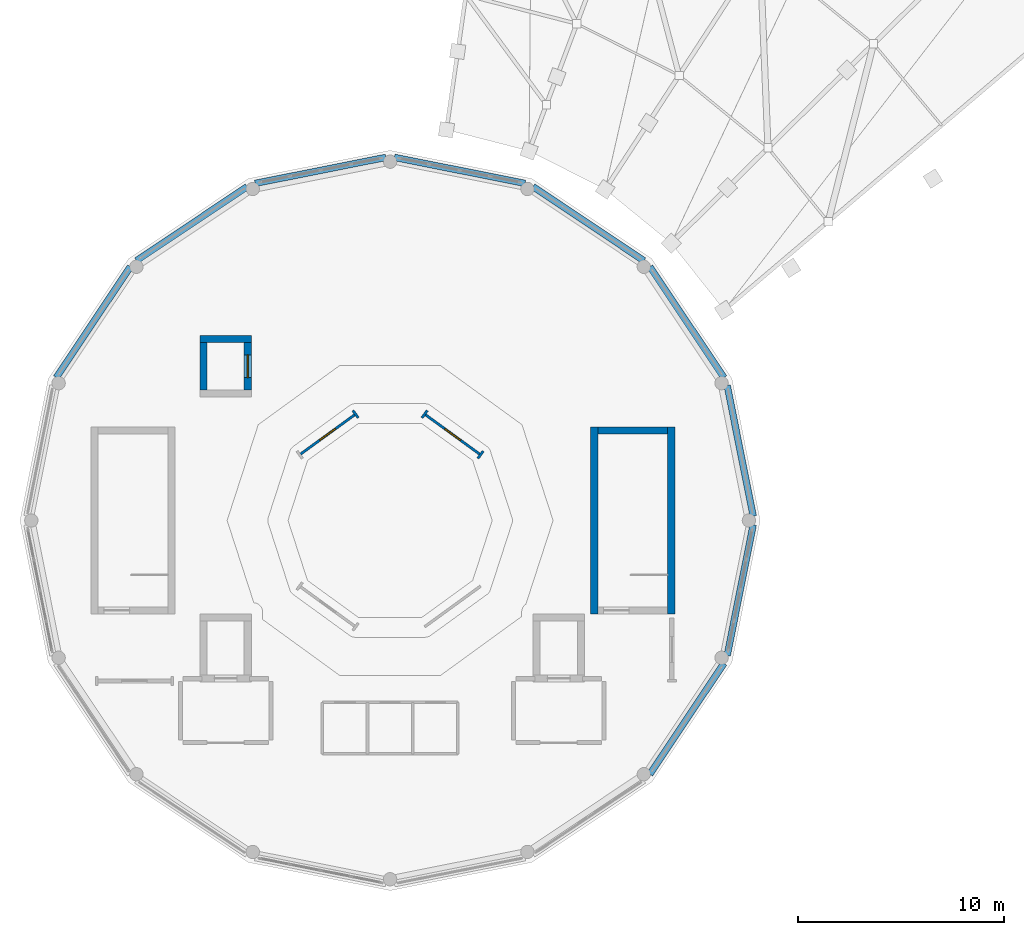
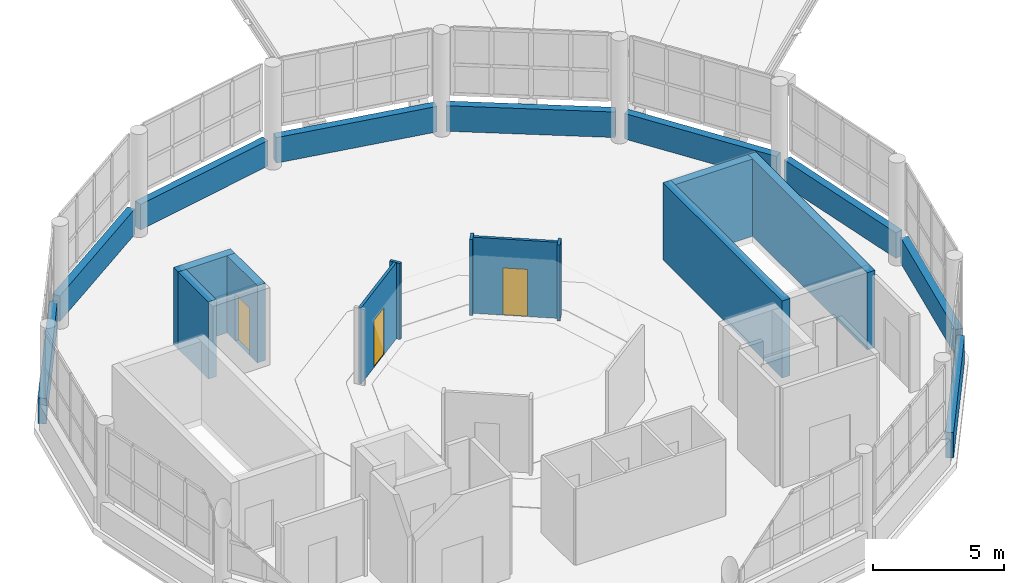
# One storey, part 11 of 12: 20 walls, 3 doors, 3 openings.
"""IFC4 building model written with IfcOpenShell, lengths in metres."""

from ifc_helpers import new_model, si_unit, direction, frame, frame_2d, origin, place, context, subcontext, project, spatial, rectangle, extrude, material, layer, layer_set, type_object, element, fill, save


model = new_model("IFC4")

# Units and contexts
model_context = context("Model", 3, precision=1e-05, world=origin(), true_north=direction((0.0, 1.0)))
body_context = subcontext(model_context, "Body", "Model", "MODEL_VIEW")
ifc_project = project(units=[si_unit("LENGTHUNIT", "METRE"), si_unit("AREAUNIT", "SQUARE_METRE"), si_unit("VOLUMEUNIT", "CUBIC_METRE"), si_unit("PLANEANGLEUNIT", "RADIAN"), si_unit("MASSUNIT", "GRAM", prefix="KILO")], contexts=[model_context])

# Site, building, storey
site_placement = place(None, origin())
site = spatial("IfcSite", under=ifc_project, at=site_placement, CompositionType="ELEMENT")
building_placement = place(site_placement, origin())
building = spatial("IfcBuilding", under=site, at=building_placement, Name="Soyqirgoq Riverine Aquarium", CompositionType="ELEMENT")
storey_placement = place(building_placement, frame((0.0, 0.0, 24.60009765625)))
storey = spatial("IfcBuildingStorey", under=building, at=storey_placement, Name="L06", CompositionType="ELEMENT", Elevation=24.60009765625)

# Walls
ifc_material_1 = material(Name="Concrete C40/50", Category="concrete")
ifc_layer_1 = layer(ifc_material_1, 0.35009765625)
ifc_layer_set_1 = layer_set([ifc_layer_1], Name="Concrete C40/50")
wall_type_1 = type_object("IfcWallType", Name="CoreShearWall_350_C40", PredefinedType="SHEAR", material=ifc_layer_set_1)
wall_1_placement = place(storey_placement, frame((69.675048828125, 52.449951171875, 0.0), z_axis=(0.0, 0.0, 1.0), x_axis=(0.0, 1.0, 0.0)))
element("IfcWall", 1, at=wall_1_placement, inside=storey, type_object=wall_type_1, Name="CORE-1 L06 Stair Core Shear Wall SIDE1", PredefinedType="SHEAR", context=body_context, shape_type="SweptSolid", body=[
    extrude(rectangle(XDim=9.10009765625, YDim=0.35009765625, at=frame_2d((4.550048828125, 0.0))), origin(), (0.0, 0.0, 1.0), 3.599853515625),
])
wall_2_placement = place(storey_placement, frame((69.5, 61.375, 0.0), z_axis=(0.0, 0.0, 1.0), x_axis=(-1.0, 0.0, 0.0)))
element("IfcWall", 2, at=wall_2_placement, inside=storey, type_object=wall_type_1, Name="CORE-1 L06 Stair Core Shear Wall BACK", PredefinedType="SHEAR", context=body_context, shape_type="SweptSolid", body=[
    extrude(rectangle(XDim=3.39990234375, YDim=0.35009765625, at=frame_2d((1.699951171875, 0.0))), origin(), (0.0, 0.0, 1.0), 3.599853515625),
])
wall_3_placement = place(storey_placement, frame((65.925048828125, 61.550048828125, 0.0), z_axis=(0.0, 0.0, 1.0), x_axis=(0.0, -1.0, 0.0)))
element("IfcWall", 3, at=wall_3_placement, inside=storey, type_object=wall_type_1, Name="CORE-1 L06 Stair Core Shear Wall SIDE2", PredefinedType="SHEAR", context=body_context, shape_type="SweptSolid", body=[
    extrude(rectangle(XDim=9.10009765625, YDim=0.35009765625, at=frame_2d((4.550048828125, 0.0))), origin(), (0.0, 0.0, 1.0), 3.599853515625),
])

# Wall, opening, door
wall_4_placement = place(storey_placement, frame((49.080078125, 63.344970703125, 0.0), z_axis=(0.0, 0.0, 1.0), x_axis=(0.0, 1.0, 0.0)))
wall_4 = element("IfcWall", 4, at=wall_4_placement, inside=storey, type_object=wall_type_1, Name="Lift PL-1 Shaft Wall L06 2", PredefinedType="SHEAR", context=body_context, shape_type="SweptSolid", body=[
    extrude(rectangle(XDim=2.31005859375, YDim=0.35009765625, at=frame_2d((1.155029296875, 0.0))), origin(), (0.0, 0.0, 1.0), 3.599853515625),
])
opening_1_placement = place(wall_4_placement, frame((0.60498046875, 0.0, 0.0)))
opening_1 = element("IfcOpeningElement", 5, at=opening_1_placement, cuts=wall_4, Name="Opening LD-01", PredefinedType="OPENING", context=body_context, shape_type="SweptSolid", body=[
    extrude(rectangle(XDim=1.10009765625, YDim=2.199951171875, at=frame_2d((0.550048828125, 1.10009765625))), frame((0.0, 0.18505859375, 0.0), z_axis=(0.0, -1.0, 0.0), x_axis=(1.0, 0.0, 0.0)), (0.0, 0.0, 1.0), 0.3701171875),
])
ifc_material_2 = material(Name="Brushed stainless steel telescopic lift landing door", Category="steel")
door_type_1 = type_object("IfcDoorType", Name="LiftLandingDoor_1100x2200", OperationType="SLIDING_TO_LEFT", PredefinedType="DOOR", material=ifc_material_2)
door_1_placement = place(opening_1_placement, origin())
door_1 = element("IfcDoor", 6, at=door_1_placement, inside=storey, type_object=door_type_1, Name="LD-PL-1-L06 Lift PL-1 L06 Sliding Landing Door", OperationType="SLIDING_TO_LEFT", OverallHeight=2.199951171875, OverallWidth=1.10009765625, PredefinedType="DOOR", context=body_context, shape_type="SweptSolid", body=[
    extrude(rectangle(XDim=1.10009765625, YDim=2.199951171875, at=frame_2d((0.550048828125, 1.10009765625))), frame((0.0, 0.02490234375, 0.0), z_axis=(0.0, -1.0, 0.0), x_axis=(1.0, 0.0, 0.0)), (0.0, 0.0, 1.0), 0.050048828125),
])
fill(opening_1, door_1)

# Walls
wall_5_placement = place(storey_placement, frame((49.2548828125, 65.830078125, 0.0), z_axis=(0.0, 0.0, 1.0), x_axis=(-1.0, 0.0, 0.0)))
element("IfcWall", 7, at=wall_5_placement, inside=storey, type_object=wall_type_1, Name="Lift PL-1 Shaft Wall L06 3", PredefinedType="SHEAR", context=body_context, shape_type="SweptSolid", body=[
    extrude(rectangle(XDim=2.509765625, YDim=0.35009765625, at=frame_2d((1.2548828125, 0.0))), origin(), (0.0, 0.0, 1.0), 3.599853515625),
])
wall_6_placement = place(storey_placement, frame((46.919921875, 65.655029296875, 0.0), z_axis=(0.0, 0.0, 1.0), x_axis=(0.0, -1.0, 0.0)))
element("IfcWall", 8, at=wall_6_placement, inside=storey, type_object=wall_type_1, Name="Lift PL-1 Shaft Wall L06 4", PredefinedType="SHEAR", context=body_context, shape_type="SweptSolid", body=[
    extrude(rectangle(XDim=2.31005859375, YDim=0.35009765625, at=frame_2d((1.155029296875, 0.0))), origin(), (0.0, 0.0, 1.0), 3.599853515625),
])
ifc_material_3 = material(Name="Insulated composite travertine rainscreen", Category="masonry")
ifc_layer_2 = layer(ifc_material_3, 0.320068359375)
ifc_layer_set_2 = layer_set([ifc_layer_2], Name="Insulated composite travertine rainscreen")
wall_type_2 = type_object("IfcWallType", Name="CrownClerestoryWall_320", PredefinedType="SOLIDWALL", material=ifc_layer_set_2)
wall_7_placement = place(storey_placement, frame((73.658447265625, 57.20849609375, 0.0), z_axis=(0.0, 0.0, 1.0), x_axis=(-0.195058346626, 0.980791640162, 0.0)))
element("IfcWall", 9, at=wall_7_placement, inside=storey, type_object=wall_type_2, Name="V1 L06 Exterior Travertine Wall 0001", PredefinedType="SOLIDWALL", context=body_context, shape_type="SweptSolid", body=[
    extrude(rectangle(XDim=6.48095703125, YDim=0.320068359375, at=frame_2d((3.240478515625, 0.0))), origin(), (0.0, 0.0, 1.0), 1.18994140625),
])
for number, where, z_axis, x_axis, name in (
    (10, (72.234619140625, 63.9501953125, 0.0), (0.0, 0.0, 1.0), (-0.555551818823, 0.83148191598, 0.0), "V1 L06 Exterior Travertine Wall 0007"),
    (11, (68.339111328125, 69.634033203125, 0.0), (0.0, 0.0, 1.0), (-0.83148191598, 0.555551818823, 0.0), "V1 L06 Exterior Travertine Wall 0013"),
):
    element("IfcWall", number, at=place(storey_placement, frame(where, z_axis=z_axis, x_axis=x_axis)), inside=storey, type_object=wall_type_2, Name=name, PredefinedType="SOLIDWALL", context=body_context, shape_type="SweptSolid", body=[
        extrude(rectangle(XDim=6.481201171875, YDim=0.320068359375, at=frame_2d((3.24072265625, 0.0))), origin(), (0.0, 0.0, 1.0), 1.18994140625),
    ])
for number, where, z_axis, x_axis, name in (
    (12, (62.56494140625, 73.394287109375, 0.0), (0.0, 0.0, 1.0), (-0.980791640162, 0.195058346626, 0.0), "V1 L06 Exterior Travertine Wall 0014"),
    (13, (55.79150390625, 74.658447265625, 0.0), (0.0, 0.0, 1.0), (-0.980791640162, -0.195058346626, 0.0), "V1 L06 Exterior Travertine Wall 0020"),
):
    element("IfcWall", number, at=place(storey_placement, frame(where, z_axis=z_axis, x_axis=x_axis)), inside=storey, type_object=wall_type_2, Name=name, PredefinedType="SOLIDWALL", context=body_context, shape_type="SweptSolid", body=[
        extrude(rectangle(XDim=6.48095703125, YDim=0.320068359375, at=frame_2d((3.240478515625, 0.0))), origin(), (0.0, 0.0, 1.0), 1.18994140625),
    ])
for number, where, z_axis, x_axis, name in (
    (14, (49.0498046875, 73.234619140625, 0.0), (0.0, 0.0, 1.0), (-0.83148191598, -0.555551818823, 0.0), "V1 L06 Exterior Travertine Wall 0026"),
    (15, (43.365966796875, 69.339111328125, 0.0), (0.0, 0.0, 1.0), (-0.555551818823, -0.83148191598, 0.0), "V1 L06 Exterior Travertine Wall 0027"),
    (16, (68.634033203125, 44.660888671875, 0.0), (0.0, 0.0, 1.0), (0.555551818823, 0.83148191598, 0.0), "V1 L06 Exterior Travertine Wall 0049"),
):
    element("IfcWall", number, at=place(storey_placement, frame(where, z_axis=z_axis, x_axis=x_axis)), inside=storey, type_object=wall_type_2, Name=name, PredefinedType="SOLIDWALL", context=body_context, shape_type="SweptSolid", body=[
        extrude(rectangle(XDim=6.481201171875, YDim=0.320068359375, at=frame_2d((3.24072265625, 0.0))), origin(), (0.0, 0.0, 1.0), 1.18994140625),
    ])
wall_8_placement = place(storey_placement, frame((72.394287109375, 50.43505859375, 0.0), z_axis=(0.0, 0.0, 1.0), x_axis=(0.195058346626, 0.980791640162, 0.0)))
element("IfcWall", 17, at=wall_8_placement, inside=storey, type_object=wall_type_2, Name="V1 L06 Exterior Travertine Wall 0050", PredefinedType="SOLIDWALL", context=body_context, shape_type="SweptSolid", body=[
    extrude(rectangle(XDim=6.48095703125, YDim=0.320068359375, at=frame_2d((3.240478515625, 0.0))), origin(), (0.0, 0.0, 1.0), 1.18994140625),
])

# Wall, opening, door
ifc_material_4 = material(Name="Lightweight steel-stud gypsum partition", Category="steel")
ifc_layer_3 = layer(ifc_material_4, 0.1201171875)
ifc_layer_set_3 = layer_set([ifc_layer_3], Name="Lightweight steel-stud gypsum partition")
wall_type_3 = type_object("IfcWallType", Name="PartitionWall_120_Std", PredefinedType="PARTITIONING", material=ifc_layer_set_3)
wall_9_placement = place(storey_placement, frame((60.398681640625, 60.19580078125, 0.0), z_axis=(0.0, 0.0, 1.0), x_axis=(-0.809018758112, 0.587782824709, 0.0)))
wall_9 = element("IfcWall", 18, at=wall_9_placement, inside=storey, type_object=wall_type_3, Name="Rooftop Terrace Lounge Partition Wall", PredefinedType="PARTITIONING", context=body_context, shape_type="SweptSolid", body=[
    extrude(rectangle(XDim=3.3603515625, YDim=0.1201171875, at=frame_2d((1.68017578125, 0.0))), origin(), (0.0, 0.0, 1.0), 3.5498046875),
])
opening_2_placement = place(wall_9_placement, frame((1.205078125, 0.0, 0.0)))
opening_2 = element("IfcOpeningElement", 19, at=opening_2_placement, cuts=wall_9, Name="Opening ID-06", PredefinedType="OPENING", context=body_context, shape_type="SweptSolid", body=[
    extrude(rectangle(XDim=0.949951171875, YDim=2.199951171875, at=frame_2d((0.47509765625, 1.10009765625))), frame((0.0, 0.070068359375, 0.0), z_axis=(0.0, -1.0, 0.0), x_axis=(1.0, 0.0, 0.0)), (0.0, 0.0, 1.0), 0.14013671875),
])
ifc_material_5 = material(Name="Moisture-resistant HPL washroom door", Category="wood")
door_type_2 = type_object("IfcDoorType", Name="WCDoor_950x2200", OperationType="NOTDEFINED", PredefinedType="DOOR", material=ifc_material_5)
door_2_placement = place(opening_2_placement, origin())
door_2 = element("IfcDoor", 20, at=door_2_placement, inside=storey, type_object=door_type_2, Name="IDR-V1-L06-0072 Ocean Drum Circulation Corridor Access Door", OperationType="SINGLE_SWING_RIGHT", OverallHeight=2.199951171875, OverallWidth=0.949951171875, PredefinedType="DOOR", context=body_context, shape_type="SweptSolid", body=[
    extrude(rectangle(XDim=0.949951171875, YDim=2.199951171875, at=frame_2d((0.47509765625, 1.10009765625))), frame((0.0, 0.02490234375, 0.0), z_axis=(0.0, -1.0, 0.0), x_axis=(1.0, 0.0, 0.0)), (0.0, 0.0, 1.0), 0.050048828125),
])
fill(opening_2, door_2)

wall_10_placement = place(storey_placement, frame((54.31982421875, 62.1708984375, 0.0), z_axis=(0.0, 0.0, 1.0), x_axis=(-0.809018758112, -0.587782824709, 0.0)))
wall_10 = element("IfcWall", 21, at=wall_10_placement, inside=storey, type_object=wall_type_3, Name="Rooftop Terrace Lounge Partition Wall", PredefinedType="PARTITIONING", context=body_context, shape_type="SweptSolid", body=[
    extrude(rectangle(XDim=3.3603515625, YDim=0.1201171875, at=frame_2d((1.68017578125, 0.0))), origin(), (0.0, 0.0, 1.0), 3.5498046875),
])
opening_3_placement = place(wall_10_placement, frame((1.205078125, 0.0, 0.0)))
opening_3 = element("IfcOpeningElement", 22, at=opening_3_placement, cuts=wall_10, Name="Opening ID-06", PredefinedType="OPENING", context=body_context, shape_type="SweptSolid", body=[
    extrude(rectangle(XDim=0.949951171875, YDim=2.199951171875, at=frame_2d((0.47509765625, 1.10009765625))), frame((0.0, 0.070068359375, 0.0), z_axis=(0.0, -1.0, 0.0), x_axis=(1.0, 0.0, 0.0)), (0.0, 0.0, 1.0), 0.14013671875),
])
door_3_placement = place(opening_3_placement, origin())
door_3 = element("IfcDoor", 23, at=door_3_placement, inside=storey, type_object=door_type_2, Name="IDR-V1-L06-0073 Ocean Drum Circulation Corridor Access Door", OperationType="SINGLE_SWING_LEFT", OverallHeight=2.199951171875, OverallWidth=0.949951171875, PredefinedType="DOOR", context=body_context, shape_type="SweptSolid", body=[
    extrude(rectangle(XDim=0.949951171875, YDim=2.199951171875, at=frame_2d((0.47509765625, 1.10009765625))), frame((0.0, 0.02490234375, 0.0), z_axis=(0.0, -1.0, 0.0), x_axis=(1.0, 0.0, 0.0)), (0.0, 0.0, 1.0), 0.050048828125),
])
fill(opening_3, door_3)

# Walls
wall_11_placement = place(storey_placement, frame((60.52783203125, 60.373779296875, 0.0), z_axis=(0.0, 0.0, 1.0), x_axis=(-0.587412867849, -0.809287416611, 0.0)))
element("IfcWall", 24, at=wall_11_placement, inside=storey, type_object=wall_type_3, Name="V1 L06 Jamb Return Pier", PredefinedType="PARTITIONING", context=body_context, shape_type="SweptSolid", body=[
    extrude(rectangle(XDim=0.440185546875, YDim=0.1201171875, at=frame_2d((0.22021484375, 0.0))), origin(), (0.0, 0.0, 1.0), 3.5498046875),
])
for number, where, z_axis, x_axis, name in (
    (25, (57.809326171875, 62.348876953125, 0.0), (0.0, 0.0, 1.0), (-0.587676645097, -0.809095890984, 0.0), "V1 L06 Jamb Return Pier"),
    (26, (54.190673828125, 62.348876953125, 0.0), (0.0, 0.0, 1.0), (0.587676645097, -0.809095890984, 0.0), "V1 L06 Jamb Return Pier"),
):
    element("IfcWall", number, at=place(storey_placement, frame(where, z_axis=z_axis, x_axis=x_axis)), inside=storey, type_object=wall_type_3, Name=name, PredefinedType="PARTITIONING", context=body_context, shape_type="SweptSolid", body=[
        extrude(rectangle(XDim=0.43994140625, YDim=0.1201171875, at=frame_2d((0.219970703125, 0.0))), origin(), (0.0, 0.0, 1.0), 3.5498046875),
    ])

save(model, "model.ifc")
